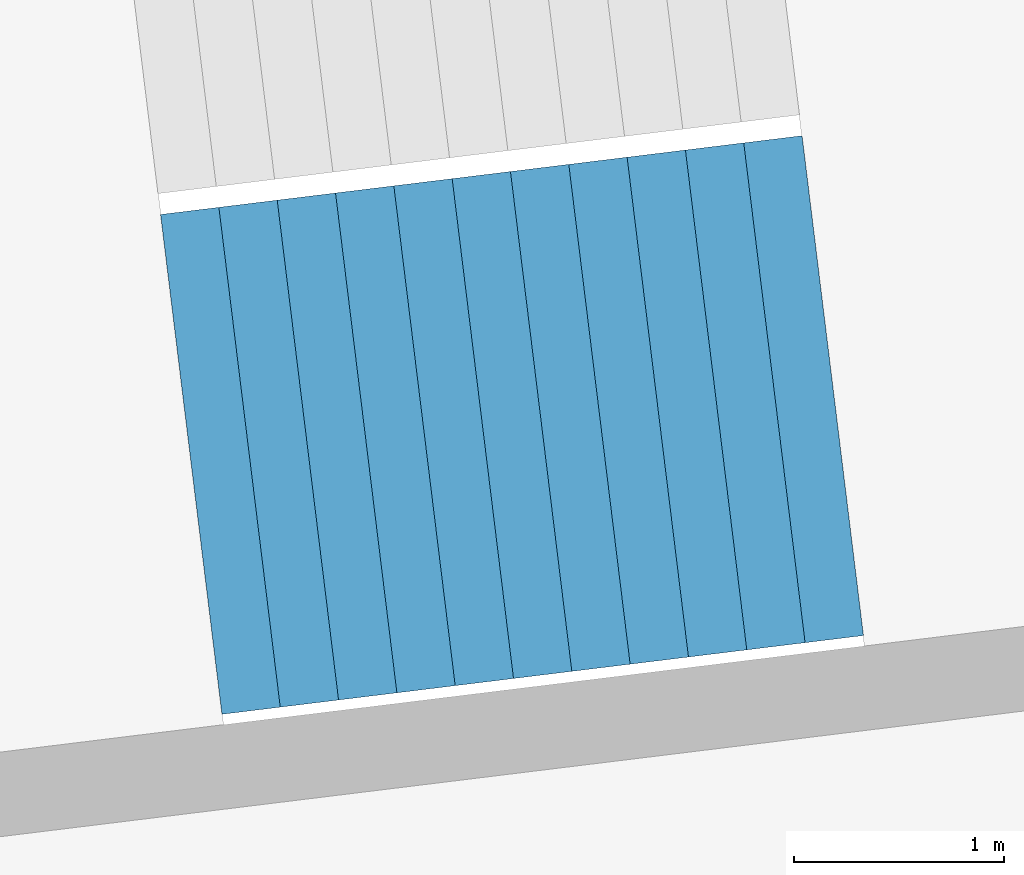
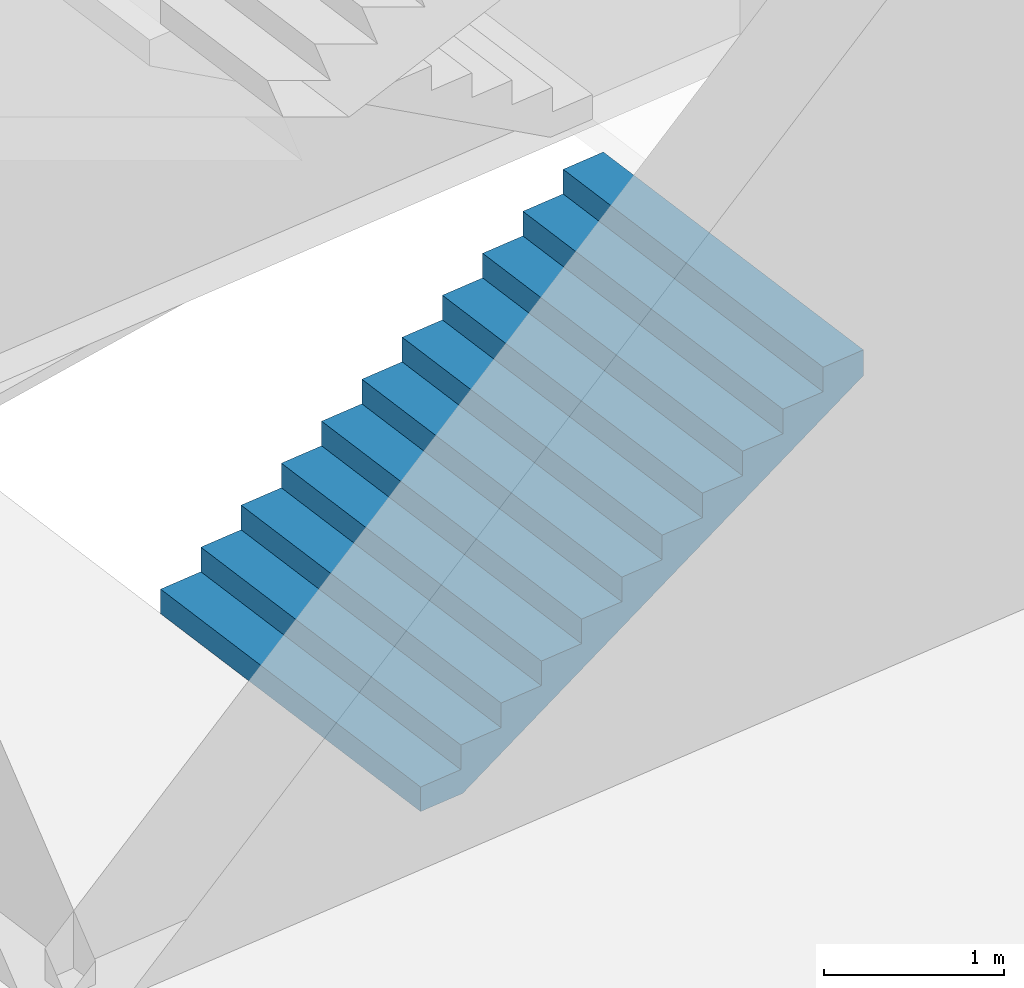
# One storey, part 58 of 74: 1 stair flight, 1 element without a shape of its own.
"""IFC4 building model written with IfcOpenShell, lengths in metres."""

import ifcopenshell
import ifcopenshell.guid

model = None  # the IFC model being written
_history = None  # IfcOwnerHistory: only IFC2X3 demands one
_inside = {}  # id of a spatial element -> (the spatial element, [elements in it])
_under = {}  # id of a project, library or spatial element -> (it, [spatial elements below it])
_declared = {}  # id of a project -> (the project, [libraries it declares])
_typed = {}  # id of a type object -> (the type object, [elements of that type])
_made_of = {}  # id of a material, layer set ... -> (it, [elements and type objects made of it])


def new_model(schema):
    """Start an empty IFC model of exactly this schema.

    Asked for "IFC4X3", IfcOpenShell would pick the latest addendum, in which some entities
    have other attributes; the version numbers below select the first issue.
    IFC2X3 requires an IfcOwnerHistory on every rooted entity: one is made here for all.
    """
    global model, _history
    if schema == "IFC4X3":
        model = ifcopenshell.file(schema_version=(4, 3, 0, 0))
    else:
        model = ifcopenshell.file(schema=schema)
    _inside.clear()
    _under.clear()
    _declared.clear()
    _typed.clear()
    _made_of.clear()
    _history = None
    if model.schema == "IFC2X3":
        org = make("IfcOrganization", Name="unknown")
        user = make(
            "IfcPersonAndOrganization",
            ThePerson=make("IfcPerson", FamilyName="unknown"),
            TheOrganization=org,
        )
        app = make(
            "IfcApplication",
            ApplicationDeveloper=org,
            Version="unknown",
            ApplicationFullName="unknown",
            ApplicationIdentifier="unknown",
        )
        _history = make(
            "IfcOwnerHistory",
            OwningUser=user,
            OwningApplication=app,
            ChangeAction="ADDED",
            CreationDate=0,
        )
    return model


def make(cls, **values):
    """One entity of the class cls with the attributes given. An attribute that is None is left unset."""
    return model.create_entity(
        cls, **{name: value for name, value in values.items() if value is not None}
    )


def rooted(cls, **values):
    """An entity with a GlobalId (a new one), such as an element, a storey or a relation."""
    return make(cls, GlobalId=ifcopenshell.guid.new(), OwnerHistory=_history, **values)


def si_unit(unit_type, name, prefix=None):
    """IfcSIUnit, for example si_unit("LENGTHUNIT", "METRE", prefix="MILLI")."""
    return make("IfcSIUnit", UnitType=unit_type, Prefix=prefix, Name=name)


def assignment(units):
    """IfcUnitAssignment: the units of a project."""
    return None if units is None else make("IfcUnitAssignment", Units=units)


def point(xyz):
    """IfcCartesianPoint."""
    return None if xyz is None else make("IfcCartesianPoint", Coordinates=xyz)


def direction(xyz):
    """IfcDirection."""
    return None if xyz is None else make("IfcDirection", DirectionRatios=xyz)


def frame(location, z_axis=None, x_axis=None):
    """IfcAxis2Placement3D, a coordinate frame: its origin and axes. An axis left out is left unset."""
    return make(
        "IfcAxis2Placement3D",
        Location=point(location),
        Axis=direction(z_axis),
        RefDirection=direction(x_axis),
    )


def origin():
    """The frame at (0, 0, 0) with its axes left unset."""
    return frame((0.0, 0.0, 0.0))


def place(relative_to, where):
    """IfcLocalPlacement: puts the frame where relative to a parent placement (None: the world)."""
    return make(
        "IfcLocalPlacement", PlacementRelTo=relative_to, RelativePlacement=where
    )


def context(
    kind, dimensions, precision=None, world=None, true_north=None, identifier=None
):
    """IfcGeometricRepresentationContext, for example the 3D "Model" context."""
    return make(
        "IfcGeometricRepresentationContext",
        ContextIdentifier=identifier,
        ContextType=kind,
        CoordinateSpaceDimension=dimensions,
        Precision=precision,
        WorldCoordinateSystem=world,
        TrueNorth=true_north,
    )


def subcontext(parent, identifier, kind, view, scale=None):
    """IfcGeometricRepresentationSubContext, for example "Body" below "Model"."""
    return make(
        "IfcGeometricRepresentationSubContext",
        ContextIdentifier=identifier,
        ContextType=kind,
        ParentContext=parent,
        TargetScale=scale,
        TargetView=view,
    )


def project(units=None, contexts=None):
    """IfcProject with its units and contexts."""
    return rooted(
        "IfcProject",
        Name="project",
        RepresentationContexts=contexts,
        UnitsInContext=assignment(units),
    )


def spatial(cls, under=None, at=None, **own):
    """A site, building, storey or space (cls), placed at a placement, below another one or the project."""
    s = rooted(cls, ObjectPlacement=at, **own)
    if under is not None:
        _under.setdefault(under.id(), (under, []))[1].append(s)
    return s


def point_list(points):
    """IfcCartesianPointList2D or 3D."""
    cls = (
        "IfcCartesianPointList2D" if len(points[0]) == 2 else "IfcCartesianPointList3D"
    )
    return make(cls, CoordList=points)


def triangles(points, corners, closed=None, point_numbers=None):
    """IfcTriangulatedFaceSet: each triangle names its three corners, points numbered from 1."""
    return make(
        "IfcTriangulatedFaceSet",
        Coordinates=point_list(points),
        Closed=closed,
        CoordIndex=corners,
        PnIndex=point_numbers,
    )


def shape(context_of_items, identifier, shape_type, items):
    """IfcShapeRepresentation: the items that make up one representation, for example the "Body"."""
    return make(
        "IfcShapeRepresentation",
        ContextOfItems=context_of_items,
        RepresentationIdentifier=identifier,
        RepresentationType=shape_type,
        Items=items,
    )


def material(Name=None, Category=None):
    """IfcMaterial."""
    return make("IfcMaterial", Name=Name, Category=Category)


def made_of(thing, what):
    """Note that an element or type object is made of a material, layer set ...; save() writes the relation."""
    if what is not None:
        _made_of.setdefault(what.id(), (what, []))[1].append(thing)
    return thing


def type_object(cls, material=None, **own):
    """A type object (cls), such as IfcWallType, which elements share."""
    return made_of(rooted(cls, **own), material)


def element(
    cls,
    number,
    at=None,
    inside=None,
    cuts=None,
    type_object=None,
    material=None,
    context=None,
    identifier="Body",
    shape_type=None,
    held_by="IfcProductDefinitionShape",
    body=None,
    shapes=None,
    **own,
):
    """One element of the class cls, such as IfcWall. Its Tag is "e" and its number.

    at: its placement. inside: the storey or other place that contains it. cuts: it is an
    opening in that element (IfcRelVoidsElement). A single representation is given by context,
    identifier, shape_type and body (its items); several are given by shapes. held_by: the class
    of the entity that holds the representations. save() writes the other relations.
    """
    e = rooted(cls, Tag="e%d" % number, ObjectPlacement=at, **own)
    if body is not None:
        shapes = [shape(context, identifier, shape_type, body)]
    if shapes is not None:
        e.Representation = make(held_by, Representations=shapes)
    if inside is not None:
        _inside.setdefault(inside.id(), (inside, []))[1].append(e)
    if cuts is not None:
        rooted(
            "IfcRelVoidsElement", RelatingBuildingElement=cuts, RelatedOpeningElement=e
        )
    if type_object is not None:
        _typed.setdefault(type_object.id(), (type_object, []))[1].append(e)
    return made_of(e, material)


def aggregate(whole, parts):
    """IfcRelAggregates: a whole, such as a stair, and the parts it consists of."""
    return rooted("IfcRelAggregates", RelatingObject=whole, RelatedObjects=parts)


def save(model, path):
    """Write the relations noted so far, then the file.

    IfcRelAggregates (storeys below a building ...), IfcRelContainedInSpatialStructure (elements
    in a storey), IfcRelDefinesByType, IfcRelAssociatesMaterial and IfcRelDeclares: one each for
    every whole, place, type object, material and project.
    """
    for whole, parts in _under.values():
        aggregate(whole, parts)
    for where, things in _inside.values():
        rooted(
            "IfcRelContainedInSpatialStructure",
            RelatedElements=things,
            RelatingStructure=where,
        )
    for kind, things in _typed.values():
        rooted("IfcRelDefinesByType", RelatedObjects=things, RelatingType=kind)
    for what, things in _made_of.values():
        rooted("IfcRelAssociatesMaterial", RelatedObjects=things, RelatingMaterial=what)
    for by, libraries in _declared.values():
        rooted("IfcRelDeclares", RelatingContext=by, RelatedDefinitions=libraries)
    model.write(path)


model = new_model("IFC4")

# Units and contexts
model_context = context("Model", 3, precision=1e-05, world=origin(), true_north=direction((0.0, 1.0)))
body_context = subcontext(model_context, "Body", "Model", "MODEL_VIEW")
ifc_project = project(units=[si_unit("LENGTHUNIT", "METRE"), si_unit("AREAUNIT", "SQUARE_METRE"), si_unit("VOLUMEUNIT", "CUBIC_METRE"), si_unit("PLANEANGLEUNIT", "RADIAN"), si_unit("MASSUNIT", "GRAM", prefix="KILO")], contexts=[model_context])

# Site, building, storey
site_placement = place(None, origin())
site = spatial("IfcSite", under=ifc_project, at=site_placement, CompositionType="ELEMENT")
building_placement = place(site_placement, origin())
building = spatial("IfcBuilding", under=site, at=building_placement, Name="Lantaw Convention Tower", CompositionType="ELEMENT")
storey_placement = place(building_placement, frame((0.0, 0.0, 6.5)))
storey = spatial("IfcBuildingStorey", under=building, at=storey_placement, Name="L01", CompositionType="ELEMENT", Elevation=6.5)

# Stair, stair flight
ifc_material = material(Name="Concrete C35/45", Category="concrete")
stair_type = type_object("IfcStairType", Name="Exit stair 2400 riser 166.67 in 4 flights", PredefinedType="HALF_TURN_STAIR", material=ifc_material)
stair_placement = place(storey_placement, origin())
stair = element("IfcStair", 1, at=stair_placement, inside=storey, type_object=stair_type, Name="Podium exit stair P1 L01", PredefinedType="HALF_TURN_STAIR")
stair_flight_type = type_object("IfcStairFlightType", Name="Stair flight 2400 riser 166.67", PredefinedType="STRAIGHT", material=ifc_material)
stair_flight_placement = place(storey_placement, frame((38.2763671875, 3.4404296875, 0.0), z_axis=(0.0, 0.0, 1.0), x_axis=(0.992546151641, 0.121869343405, 0.0)))
stair_flight = element("IfcStairFlight", 2, at=stair_flight_placement, type_object=stair_flight_type, Name="P1 flight 1", NumberOfRisers=12, NumberOfTreads=11, PredefinedType="STRAIGHT", RiserHeight=0.166666667, TreadLength=0.28, context=body_context, shape_type="Tessellation", body=[
    triangles([(0.0, 1.199951171875, 0.0), (0.0, 1.199951171875, 0.166666667), (0.28, 1.199951171875, 0.0), (0.28, 1.199951171875, 0.166666667), (0.28, 1.199951171875, 0.333333334), (0.29307345806906726, 1.199951171875, 0.0), (0.29307345806906726, 1.199951171875, 0.333333334), (0.56, 1.199951171875, 0.15888484670522965), (0.56, 1.199951171875, 0.333333334), (0.56, 1.199951171875, 0.500000001), (0.8400000000000001, 1.199951171875, 0.3255515137052296), (0.8400000000000001, 1.199951171875, 0.500000001), (0.8400000000000001, 1.199951171875, 0.666666668), (1.12, 1.199951171875, 0.4922181807052296), (1.12, 1.199951171875, 0.666666668), (1.12, 1.199951171875, 0.833333335), (1.4000000000000001, 1.199951171875, 0.6588848477052296), (1.4000000000000001, 1.199951171875, 0.833333335), (1.4000000000000001, 1.199951171875, 1.000000002), (1.6800000000000002, 1.199951171875, 0.8255515147052296), (1.6800000000000002, 1.199951171875, 1.000000002), (1.6800000000000002, 1.199951171875, 1.166666669), (1.9600000000000002, 1.199951171875, 0.9922181817052296), (1.9600000000000002, 1.199951171875, 1.166666669), (1.9600000000000002, 1.199951171875, 1.333333336), (2.24, 1.199951171875, 1.1588848487052295), (2.24, 1.199951171875, 1.333333336), (2.24, 1.199951171875, 1.5000000029999998), (2.5200000000000005, 1.199951171875, 1.3255515157052296), (2.5200000000000005, 1.199951171875, 1.5000000029999998), (2.5200000000000005, 1.199951171875, 1.66666667), (2.8000000000000003, 1.199951171875, 1.4922181827052294), (2.8000000000000003, 1.199951171875, 1.66666667), (2.8000000000000003, 1.199951171875, 1.833333337), (3.08, 1.199951171875, 1.6588848497052293), (3.08, 1.199951171875, 1.833333337), (0.0, -1.199951171875, 0.0), (0.0, -1.199951171875, 0.166666667), (0.28, -1.199951171875, 0.0), (0.28, -1.199951171875, 0.166666667), (0.28, -1.199951171875, 0.333333334), (0.29307345806906726, -1.199951171875, 0.0), (0.29307345806906726, -1.199951171875, 0.333333334), (0.56, -1.199951171875, 0.15888484670522965), (0.56, -1.199951171875, 0.333333334), (0.56, -1.199951171875, 0.500000001), (0.8400000000000001, -1.199951171875, 0.3255515137052296), (0.8400000000000001, -1.199951171875, 0.500000001), (0.8400000000000001, -1.199951171875, 0.666666668), (1.12, -1.199951171875, 0.4922181807052296), (1.12, -1.199951171875, 0.666666668), (1.12, -1.199951171875, 0.833333335), (1.4000000000000001, -1.199951171875, 0.6588848477052296), (1.4000000000000001, -1.199951171875, 0.833333335), (1.4000000000000001, -1.199951171875, 1.000000002), (1.6800000000000002, -1.199951171875, 0.8255515147052296), (1.6800000000000002, -1.199951171875, 1.000000002), (1.6800000000000002, -1.199951171875, 1.166666669), (1.9600000000000002, -1.199951171875, 0.9922181817052296), (1.9600000000000002, -1.199951171875, 1.166666669), (1.9600000000000002, -1.199951171875, 1.333333336), (2.24, -1.199951171875, 1.1588848487052295), (2.24, -1.199951171875, 1.333333336), (2.24, -1.199951171875, 1.5000000029999998), (2.5200000000000005, -1.199951171875, 1.3255515157052296), (2.5200000000000005, -1.199951171875, 1.5000000029999998), (2.5200000000000005, -1.199951171875, 1.66666667), (2.8000000000000003, -1.199951171875, 1.4922181827052294), (2.8000000000000003, -1.199951171875, 1.66666667), (2.8000000000000003, -1.199951171875, 1.833333337), (3.08, -1.199951171875, 1.6588848497052293), (3.08, -1.199951171875, 1.833333337), (0.0, 0.239990234375, 0.166666667), (0.0, 0.239990234375, 0.0), (0.0, 0.1199951171875, 0.166666667), (0.0, 0.1199951171875, 0.0), (0.0, 0.0, 0.166666667), (0.0, 0.0, 0.0), (0.0, -0.1199951171875, 0.166666667), (0.0, -0.1199951171875, 0.0), (0.0, -0.239990234375, 0.166666667), (0.0, -0.239990234375, 0.0), (0.28, 0.239990234375, 0.333333334), (0.28, 0.239990234375, 0.166666667), (0.28, 0.1199951171875, 0.333333334), (0.28, 0.1199951171875, 0.166666667), (0.28, 0.0, 0.333333334), (0.28, 0.0, 0.166666667), (0.28, -0.1199951171875, 0.333333334), (0.28, -0.1199951171875, 0.166666667), (0.28, -0.239990234375, 0.333333334), (0.28, -0.239990234375, 0.166666667), (0.56, 0.239990234375, 0.500000001), (0.56, 0.239990234375, 0.333333334), (0.56, 0.1199951171875, 0.500000001), (0.56, 0.1199951171875, 0.333333334), (0.56, 0.0, 0.500000001), (0.56, 0.0, 0.333333334), (0.56, -0.1199951171875, 0.500000001), (0.56, -0.1199951171875, 0.333333334), (0.56, -0.239990234375, 0.500000001), (0.56, -0.239990234375, 0.333333334), (0.8400000000000001, 0.239990234375, 0.666666668), (0.8400000000000001, 0.239990234375, 0.500000001), (0.8400000000000001, 0.1199951171875, 0.666666668), (0.8400000000000001, 0.1199951171875, 0.500000001), (0.8400000000000001, 0.0, 0.666666668), (0.8400000000000001, 0.0, 0.500000001), (0.8400000000000001, -0.1199951171875, 0.666666668), (0.8400000000000001, -0.1199951171875, 0.500000001), (0.8400000000000001, -0.239990234375, 0.666666668), (0.8400000000000001, -0.239990234375, 0.500000001), (1.12, 0.239990234375, 0.833333335), (1.12, 0.239990234375, 0.666666668), (1.12, 0.1199951171875, 0.833333335), (1.12, 0.1199951171875, 0.666666668), (1.12, 0.0, 0.833333335), (1.12, 0.0, 0.666666668), (1.12, -0.1199951171875, 0.833333335), (1.12, -0.1199951171875, 0.666666668), (1.12, -0.239990234375, 0.833333335), (1.12, -0.239990234375, 0.666666668), (1.4000000000000001, 0.239990234375, 1.000000002), (1.4000000000000001, 0.239990234375, 0.833333335), (1.4000000000000001, 0.1199951171875, 1.000000002), (1.4000000000000001, 0.1199951171875, 0.833333335), (1.4000000000000001, 0.0, 1.000000002), (1.4000000000000001, 0.0, 0.833333335), (1.4000000000000001, -0.1199951171875, 1.000000002), (1.4000000000000001, -0.1199951171875, 0.833333335), (1.4000000000000001, -0.239990234375, 1.000000002), (1.4000000000000001, -0.239990234375, 0.833333335), (1.6800000000000002, 0.239990234375, 1.166666669), (1.6800000000000002, 0.239990234375, 1.000000002), (1.6800000000000002, 0.1199951171875, 1.166666669), (1.6800000000000002, 0.1199951171875, 1.000000002), (1.6800000000000002, 0.0, 1.166666669), (1.6800000000000002, 0.0, 1.000000002), (1.6800000000000002, -0.1199951171875, 1.166666669), (1.6800000000000002, -0.1199951171875, 1.000000002), (1.6800000000000002, -0.239990234375, 1.166666669), (1.6800000000000002, -0.239990234375, 1.000000002), (1.9600000000000002, 0.239990234375, 1.333333336), (1.9600000000000002, 0.239990234375, 1.166666669), (1.9600000000000002, 0.1199951171875, 1.333333336), (1.9600000000000002, 0.1199951171875, 1.166666669), (1.9600000000000002, 0.0, 1.333333336), (1.9600000000000002, 0.0, 1.166666669), (1.9600000000000002, -0.1199951171875, 1.333333336), (1.9600000000000002, -0.1199951171875, 1.166666669), (1.9600000000000002, -0.239990234375, 1.333333336), (1.9600000000000002, -0.239990234375, 1.166666669), (2.24, 0.239990234375, 1.5000000029999998), (2.24, 0.239990234375, 1.333333336), (2.24, 0.1199951171875, 1.5000000029999998), (2.24, 0.1199951171875, 1.333333336), (2.24, 0.0, 1.5000000029999998), (2.24, 0.0, 1.333333336), (2.24, -0.1199951171875, 1.5000000029999998), (2.24, -0.1199951171875, 1.333333336), (2.24, -0.239990234375, 1.5000000029999998), (2.24, -0.239990234375, 1.333333336), (2.5200000000000005, 0.239990234375, 1.66666667), (2.5200000000000005, 0.239990234375, 1.5000000029999998), (2.5200000000000005, 0.1199951171875, 1.66666667), (2.5200000000000005, 0.1199951171875, 1.5000000029999998), (2.5200000000000005, 0.0, 1.66666667), (2.5200000000000005, 0.0, 1.5000000029999998), (2.5200000000000005, -0.1199951171875, 1.66666667), (2.5200000000000005, -0.1199951171875, 1.5000000029999998), (2.5200000000000005, -0.239990234375, 1.66666667), (2.5200000000000005, -0.239990234375, 1.5000000029999998), (2.8000000000000003, 0.239990234375, 1.833333337), (2.8000000000000003, 0.239990234375, 1.66666667), (2.8000000000000003, 0.1199951171875, 1.833333337), (2.8000000000000003, 0.1199951171875, 1.66666667), (2.8000000000000003, 0.0, 1.833333337), (2.8000000000000003, 0.0, 1.66666667), (2.8000000000000003, -0.1199951171875, 1.833333337), (2.8000000000000003, -0.1199951171875, 1.66666667), (2.8000000000000003, -0.239990234375, 1.833333337), (2.8000000000000003, -0.239990234375, 1.66666667), (0.29307345806906726, 0.239990234375, 0.333333334), (0.29307345806906726, 0.1199951171875, 0.333333334), (0.29307345806906726, 0.0, 0.333333334), (0.29307345806906726, -0.1199951171875, 0.333333334), (0.29307345806906726, -0.239990234375, 0.333333334), (3.08, 0.239990234375, 1.833333337), (3.08, 0.1199951171875, 1.833333337), (3.08, 0.0, 1.833333337), (3.08, -0.1199951171875, 1.833333337), (3.08, -0.239990234375, 1.833333337), (3.08, 0.239990234375, 1.6588848497052293), (3.08, 0.1199951171875, 1.6588848497052293), (3.08, 0.0, 1.6588848497052293), (3.08, -0.1199951171875, 1.6588848497052293), (3.08, -0.239990234375, 1.6588848497052293), (2.8000000000000003, 0.239990234375, 1.4922181827052294), (2.8000000000000003, 0.1199951171875, 1.4922181827052294), (2.8000000000000003, 0.0, 1.4922181827052294), (2.8000000000000003, -0.1199951171875, 1.4922181827052294), (2.8000000000000003, -0.239990234375, 1.4922181827052294), (2.5200000000000005, 0.239990234375, 1.3255515157052296), (2.5200000000000005, 0.1199951171875, 1.3255515157052296), (2.5200000000000005, 0.0, 1.3255515157052296), (2.5200000000000005, -0.1199951171875, 1.3255515157052296), (2.5200000000000005, -0.239990234375, 1.3255515157052296), (2.24, 0.239990234375, 1.1588848487052295), (2.24, 0.1199951171875, 1.1588848487052295), (2.24, 0.0, 1.1588848487052295), (2.24, -0.1199951171875, 1.1588848487052295), (2.24, -0.239990234375, 1.1588848487052295), (1.9600000000000002, 0.239990234375, 0.9922181817052296), (1.9600000000000002, 0.1199951171875, 0.9922181817052296), (1.9600000000000002, 0.0, 0.9922181817052296), (1.9600000000000002, -0.1199951171875, 0.9922181817052296), (1.9600000000000002, -0.239990234375, 0.9922181817052296), (1.6800000000000002, 0.239990234375, 0.8255515147052296), (1.6800000000000002, 0.1199951171875, 0.8255515147052296), (1.6800000000000002, 0.0, 0.8255515147052296), (1.6800000000000002, -0.1199951171875, 0.8255515147052296), (1.6800000000000002, -0.239990234375, 0.8255515147052296), (1.4000000000000001, 0.239990234375, 0.6588848477052296), (1.4000000000000001, 0.1199951171875, 0.6588848477052296), (1.4000000000000001, 0.0, 0.6588848477052296), (1.4000000000000001, -0.1199951171875, 0.6588848477052296), (1.4000000000000001, -0.239990234375, 0.6588848477052296), (1.12, 0.239990234375, 0.4922181807052296), (1.12, 0.1199951171875, 0.4922181807052296), (1.12, 0.0, 0.4922181807052296), (1.12, -0.1199951171875, 0.4922181807052296), (1.12, -0.239990234375, 0.4922181807052296), (0.8400000000000001, 0.239990234375, 0.3255515137052296), (0.8400000000000001, 0.1199951171875, 0.3255515137052296), (0.8400000000000001, 0.0, 0.3255515137052296), (0.8400000000000001, -0.1199951171875, 0.3255515137052296), (0.8400000000000001, -0.239990234375, 0.3255515137052296), (0.56, 0.239990234375, 0.15888484670522965), (0.56, 0.1199951171875, 0.15888484670522965), (0.56, 0.0, 0.15888484670522965), (0.56, -0.1199951171875, 0.15888484670522965), (0.56, -0.239990234375, 0.15888484670522965), (0.29307345806906726, 0.239990234375, 0.0), (0.29307345806906726, 0.1199951171875, 0.0), (0.29307345806906726, 0.0, 0.0), (0.29307345806906726, -0.1199951171875, 0.0), (0.29307345806906726, -0.239990234375, 0.0), (0.28, 0.239990234375, 0.0), (0.28, 0.1199951171875, 0.0), (0.28, 0.0, 0.0), (0.28, -0.1199951171875, 0.0), (0.28, -0.239990234375, 0.0)], [[1, 4, 3], [1, 2, 4], [3, 4, 6], [4, 7, 6], [4, 5, 7], [6, 9, 8], [6, 7, 9], [8, 9, 11], [9, 12, 11], [9, 10, 12], [11, 12, 14], [12, 15, 14], [12, 13, 15], [14, 15, 17], [15, 18, 17], [15, 16, 18], [17, 18, 20], [18, 21, 20], [18, 19, 21], [20, 21, 23], [21, 24, 23], [21, 22, 24], [23, 24, 26], [24, 27, 26], [24, 25, 27], [26, 27, 29], [27, 30, 29], [27, 28, 30], [29, 30, 32], [30, 33, 32], [30, 31, 33], [32, 33, 35], [33, 36, 35], [33, 34, 36], [37, 39, 40], [37, 40, 38], [39, 42, 40], [40, 42, 43], [40, 43, 41], [42, 44, 45], [42, 45, 43], [44, 47, 45], [45, 47, 48], [45, 48, 46], [47, 50, 48], [48, 50, 51], [48, 51, 49], [50, 53, 51], [51, 53, 54], [51, 54, 52], [53, 56, 54], [54, 56, 57], [54, 57, 55], [56, 59, 57], [57, 59, 60], [57, 60, 58], [59, 62, 60], [60, 62, 63], [60, 63, 61], [62, 65, 63], [63, 65, 66], [63, 66, 64], [65, 68, 66], [66, 68, 69], [66, 69, 67], [68, 71, 69], [69, 71, 72], [69, 72, 70], [1, 73, 2], [1, 74, 73], [74, 75, 73], [74, 76, 75], [76, 77, 75], [76, 78, 77], [78, 79, 77], [78, 80, 79], [80, 81, 79], [80, 82, 81], [82, 38, 81], [82, 37, 38], [4, 83, 5], [4, 84, 83], [84, 85, 83], [84, 86, 85], [86, 87, 85], [86, 88, 87], [88, 89, 87], [88, 90, 89], [90, 91, 89], [90, 92, 91], [92, 41, 91], [92, 40, 41], [9, 93, 10], [9, 94, 93], [94, 95, 93], [94, 96, 95], [96, 97, 95], [96, 98, 97], [98, 99, 97], [98, 100, 99], [100, 101, 99], [100, 102, 101], [102, 46, 101], [102, 45, 46], [12, 103, 13], [12, 104, 103], [104, 105, 103], [104, 106, 105], [106, 107, 105], [106, 108, 107], [108, 109, 107], [108, 110, 109], [110, 111, 109], [110, 112, 111], [112, 49, 111], [112, 48, 49], [15, 113, 16], [15, 114, 113], [114, 115, 113], [114, 116, 115], [116, 117, 115], [116, 118, 117], [118, 119, 117], [118, 120, 119], [120, 121, 119], [120, 122, 121], [122, 52, 121], [122, 51, 52], [18, 123, 19], [18, 124, 123], [124, 125, 123], [124, 126, 125], [126, 127, 125], [126, 128, 127], [128, 129, 127], [128, 130, 129], [130, 131, 129], [130, 132, 131], [132, 55, 131], [132, 54, 55], [21, 133, 22], [21, 134, 133], [134, 135, 133], [134, 136, 135], [136, 137, 135], [136, 138, 137], [138, 139, 137], [138, 140, 139], [140, 141, 139], [140, 142, 141], [142, 58, 141], [142, 57, 58], [24, 143, 25], [24, 144, 143], [144, 145, 143], [144, 146, 145], [146, 147, 145], [146, 148, 147], [148, 149, 147], [148, 150, 149], [150, 151, 149], [150, 152, 151], [152, 61, 151], [152, 60, 61], [27, 153, 28], [27, 154, 153], [154, 155, 153], [154, 156, 155], [156, 157, 155], [156, 158, 157], [158, 159, 157], [158, 160, 159], [160, 161, 159], [160, 162, 161], [162, 64, 161], [162, 63, 64], [30, 163, 31], [30, 164, 163], [164, 165, 163], [164, 166, 165], [166, 167, 165], [166, 168, 167], [168, 169, 167], [168, 170, 169], [170, 171, 169], [170, 172, 171], [172, 67, 171], [172, 66, 67], [33, 173, 34], [33, 174, 173], [174, 175, 173], [174, 176, 175], [176, 177, 175], [176, 178, 177], [178, 179, 177], [178, 180, 179], [180, 181, 179], [180, 182, 181], [182, 70, 181], [182, 69, 70], [2, 84, 4], [2, 73, 84], [73, 86, 84], [73, 75, 86], [75, 88, 86], [75, 77, 88], [77, 90, 88], [77, 79, 90], [79, 92, 90], [79, 81, 92], [81, 40, 92], [81, 38, 40], [5, 183, 7], [5, 83, 183], [83, 184, 183], [83, 85, 184], [85, 185, 184], [85, 87, 185], [87, 186, 185], [87, 89, 186], [89, 187, 186], [89, 91, 187], [91, 43, 187], [91, 41, 43], [7, 94, 9], [7, 183, 94], [183, 96, 94], [183, 184, 96], [184, 98, 96], [184, 185, 98], [185, 100, 98], [185, 186, 100], [186, 102, 100], [186, 187, 102], [187, 45, 102], [187, 43, 45], [10, 104, 12], [10, 93, 104], [93, 106, 104], [93, 95, 106], [95, 108, 106], [95, 97, 108], [97, 110, 108], [97, 99, 110], [99, 112, 110], [99, 101, 112], [101, 48, 112], [101, 46, 48], [13, 114, 15], [13, 103, 114], [103, 116, 114], [103, 105, 116], [105, 118, 116], [105, 107, 118], [107, 120, 118], [107, 109, 120], [109, 122, 120], [109, 111, 122], [111, 51, 122], [111, 49, 51], [16, 124, 18], [16, 113, 124], [113, 126, 124], [113, 115, 126], [115, 128, 126], [115, 117, 128], [117, 130, 128], [117, 119, 130], [119, 132, 130], [119, 121, 132], [121, 54, 132], [121, 52, 54], [19, 134, 21], [19, 123, 134], [123, 136, 134], [123, 125, 136], [125, 138, 136], [125, 127, 138], [127, 140, 138], [127, 129, 140], [129, 142, 140], [129, 131, 142], [131, 57, 142], [131, 55, 57], [22, 144, 24], [22, 133, 144], [133, 146, 144], [133, 135, 146], [135, 148, 146], [135, 137, 148], [137, 150, 148], [137, 139, 150], [139, 152, 150], [139, 141, 152], [141, 60, 152], [141, 58, 60], [25, 154, 27], [25, 143, 154], [143, 156, 154], [143, 145, 156], [145, 158, 156], [145, 147, 158], [147, 160, 158], [147, 149, 160], [149, 162, 160], [149, 151, 162], [151, 63, 162], [151, 61, 63], [28, 164, 30], [28, 153, 164], [153, 166, 164], [153, 155, 166], [155, 168, 166], [155, 157, 168], [157, 170, 168], [157, 159, 170], [159, 172, 170], [159, 161, 172], [161, 66, 172], [161, 64, 66], [31, 174, 33], [31, 163, 174], [163, 176, 174], [163, 165, 176], [165, 178, 176], [165, 167, 178], [167, 180, 178], [167, 169, 180], [169, 182, 180], [169, 171, 182], [171, 69, 182], [171, 67, 69], [34, 188, 36], [34, 173, 188], [173, 189, 188], [173, 175, 189], [175, 190, 189], [175, 177, 190], [177, 191, 190], [177, 179, 191], [179, 192, 191], [179, 181, 192], [181, 72, 192], [181, 70, 72], [36, 193, 35], [36, 188, 193], [188, 194, 193], [188, 189, 194], [189, 195, 194], [189, 190, 195], [190, 196, 195], [190, 191, 196], [191, 197, 196], [191, 192, 197], [192, 71, 197], [192, 72, 71], [35, 198, 32], [35, 193, 198], [193, 199, 198], [193, 194, 199], [194, 200, 199], [194, 195, 200], [195, 201, 200], [195, 196, 201], [196, 202, 201], [196, 197, 202], [197, 68, 202], [197, 71, 68], [32, 203, 29], [32, 198, 203], [198, 204, 203], [198, 199, 204], [199, 205, 204], [199, 200, 205], [200, 206, 205], [200, 201, 206], [201, 207, 206], [201, 202, 207], [202, 65, 207], [202, 68, 65], [29, 208, 26], [29, 203, 208], [203, 209, 208], [203, 204, 209], [204, 210, 209], [204, 205, 210], [205, 211, 210], [205, 206, 211], [206, 212, 211], [206, 207, 212], [207, 62, 212], [207, 65, 62], [26, 213, 23], [26, 208, 213], [208, 214, 213], [208, 209, 214], [209, 215, 214], [209, 210, 215], [210, 216, 215], [210, 211, 216], [211, 217, 216], [211, 212, 217], [212, 59, 217], [212, 62, 59], [23, 218, 20], [23, 213, 218], [213, 219, 218], [213, 214, 219], [214, 220, 219], [214, 215, 220], [215, 221, 220], [215, 216, 221], [216, 222, 221], [216, 217, 222], [217, 56, 222], [217, 59, 56], [20, 223, 17], [20, 218, 223], [218, 224, 223], [218, 219, 224], [219, 225, 224], [219, 220, 225], [220, 226, 225], [220, 221, 226], [221, 227, 226], [221, 222, 227], [222, 53, 227], [222, 56, 53], [17, 228, 14], [17, 223, 228], [223, 229, 228], [223, 224, 229], [224, 230, 229], [224, 225, 230], [225, 231, 230], [225, 226, 231], [226, 232, 231], [226, 227, 232], [227, 50, 232], [227, 53, 50], [14, 233, 11], [14, 228, 233], [228, 234, 233], [228, 229, 234], [229, 235, 234], [229, 230, 235], [230, 236, 235], [230, 231, 236], [231, 237, 236], [231, 232, 237], [232, 47, 237], [232, 50, 47], [11, 238, 8], [11, 233, 238], [233, 239, 238], [233, 234, 239], [234, 240, 239], [234, 235, 240], [235, 241, 240], [235, 236, 241], [236, 242, 241], [236, 237, 242], [237, 44, 242], [237, 47, 44], [8, 243, 6], [8, 238, 243], [238, 244, 243], [238, 239, 244], [239, 245, 244], [239, 240, 245], [240, 246, 245], [240, 241, 246], [241, 247, 246], [241, 242, 247], [242, 42, 247], [242, 44, 42], [6, 248, 3], [6, 243, 248], [243, 249, 248], [243, 244, 249], [244, 250, 249], [244, 245, 250], [245, 251, 250], [245, 246, 251], [246, 252, 251], [246, 247, 252], [247, 39, 252], [247, 42, 39], [3, 74, 1], [3, 248, 74], [248, 76, 74], [248, 249, 76], [249, 78, 76], [249, 250, 78], [250, 80, 78], [250, 251, 80], [251, 82, 80], [251, 252, 82], [252, 37, 82], [252, 39, 37]], closed=True),
])
aggregate(stair, [stair_flight])

save(model, "model.ifc")
